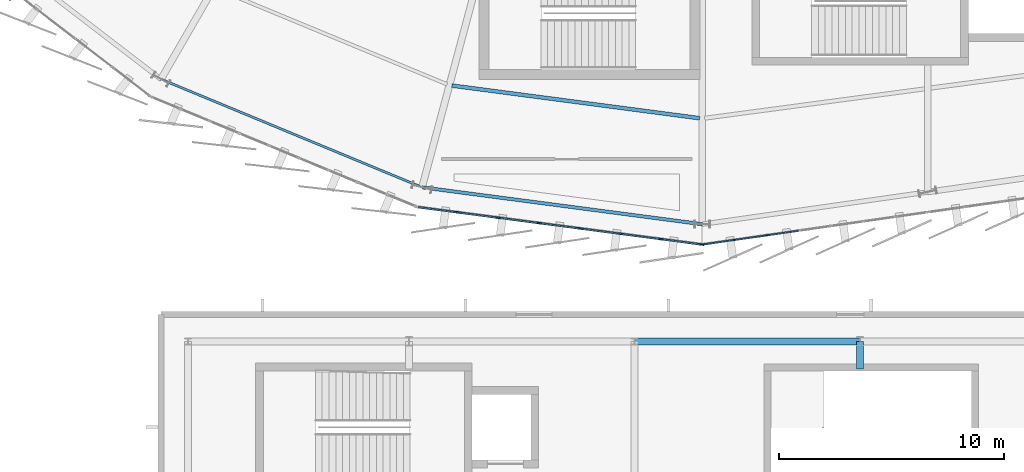
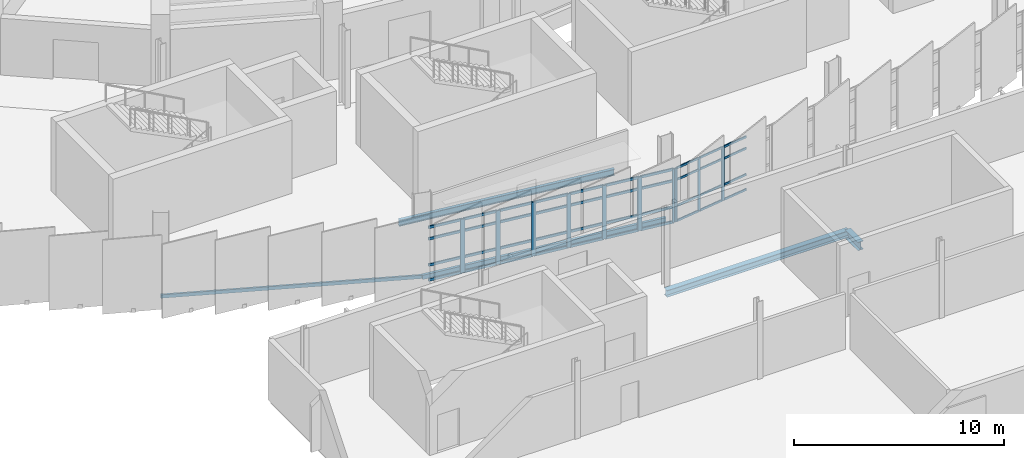
# One storey, part 32 of 120: 50 members, 5 beams, 2 elements without a shape of their own.
"""IFC4 building model written with IfcOpenShell, lengths in metres."""

from ifc_helpers import new_model, si_unit, direction, frame, origin, origin_2d, place, context, subcontext, project, spatial, rectangle, hollow_rectangle, i_section, extrude, material, layer, layer_set, material_profile, profile_set, type_object, element, aggregate, save


model = new_model("IFC4")

# Units and contexts
model_context = context("Model", 3, precision=1e-05, world=origin(), true_north=direction((0.0, 1.0)))
body_context = subcontext(model_context, "Body", "Model", "MODEL_VIEW")
ifc_project = project(units=[si_unit("LENGTHUNIT", "METRE"), si_unit("AREAUNIT", "SQUARE_METRE"), si_unit("VOLUMEUNIT", "CUBIC_METRE"), si_unit("PLANEANGLEUNIT", "RADIAN"), si_unit("MASSUNIT", "GRAM", prefix="KILO")], contexts=[model_context])

# Site, building, storey
site_placement = place(None, origin())
site = spatial("IfcSite", under=ifc_project, at=site_placement, CompositionType="ELEMENT")
building_placement = place(site_placement, origin())
building = spatial("IfcBuilding", under=site, at=building_placement, Name="Sohan Crest Arena", CompositionType="ELEMENT")
storey_placement = place(building_placement, frame((0.0, 0.0, 13.5)))
storey = spatial("IfcBuildingStorey", under=building, at=storey_placement, Name="L03", CompositionType="ELEMENT", Elevation=13.5)

# Curtain wall, members
ifc_material_1 = material(Name="Thermally broken anodised aluminium", Category="aluminium")
ifc_layer_1 = layer(ifc_material_1, 0.179931640625, Name="Thermally broken anodised aluminium")
ifc_layer_set_1 = layer_set([ifc_layer_1], Name="Thermally broken anodised aluminium")
curtain_wall_type_1 = type_object("IfcCurtainWallType", Name="ARC-CW01", PredefinedType="NOTDEFINED", material=ifc_layer_set_1)
curtain_wall_1_placement = place(storey_placement, origin())
curtain_wall_1 = element("IfcCurtainWall", 1, at=curtain_wall_1_placement, inside=storey, type_object=curtain_wall_type_1, Name="Unitised curtain wall CW-090", PredefinedType="NOTDEFINED")
ifc_material_profile_1 = material_profile(ifc_material_1, rectangle(XDim=0.06005859375, YDim=0.159912109375, at=origin_2d()), Name="ALU-MULL 60x160")
ifc_profile_set_1 = profile_set([ifc_material_profile_1], Name="Thermally broken anodised aluminium")
member_type_1 = type_object("IfcMemberType", Name="ARC-CW-ML01", PredefinedType="MULLION", material=ifc_profile_set_1)
member_1_placement = place(storey_placement, frame((98.02978515625, 29.104248046875, 0.0), z_axis=(0.0, 0.0, 1.0), x_axis=(-0.141462933734, 0.989943553128, 0.0)))
member_1 = element("IfcMember", 2, at=member_1_placement, type_object=member_type_1, Name="CW-090 mullion 1", PredefinedType="MULLION", context=body_context, shape_type="SweptSolid", body=[
    extrude(rectangle(XDim=0.06005859375, YDim=0.159912109375, at=origin_2d()), origin(), (0.0, 0.0, 1.0), 3.1201171875),
])
member_2_placement = place(storey_placement, frame((99.428466796875, 29.30419921875, 0.0), z_axis=(0.0, 0.0, 1.0), x_axis=(-0.141462933734, 0.989943553128, 0.0)))
member_2 = element("IfcMember", 3, at=member_2_placement, type_object=member_type_1, Name="CW-090 mullion 2", PredefinedType="MULLION", context=body_context, shape_type="SweptSolid", body=[
    extrude(rectangle(XDim=0.06005859375, YDim=0.159912109375, at=origin_2d()), origin(), (0.0, 0.0, 1.0), 3.1201171875),
])
member_3_placement = place(storey_placement, frame((100.857177734375, 29.50830078125, 0.0), z_axis=(0.0, 0.0, 1.0), x_axis=(-0.141462933734, 0.989943553128, 0.0)))
member_3 = element("IfcMember", 4, at=member_3_placement, type_object=member_type_1, Name="CW-090 mullion 3", PredefinedType="MULLION", context=body_context, shape_type="SweptSolid", body=[
    extrude(rectangle(XDim=0.06005859375, YDim=0.159912109375, at=origin_2d()), origin(), (0.0, 0.0, 1.0), 3.1201171875),
])

ifc_layer_2 = layer(ifc_material_1, 0.2099609375, Name="Thermally broken anodised aluminium")
ifc_layer_set_2 = layer_set([ifc_layer_2], Name="Thermally broken anodised aluminium")
curtain_wall_type_2 = type_object("IfcCurtainWallType", Name="ARC-CW06", PredefinedType="NOTDEFINED", material=ifc_layer_set_2)
curtain_wall_2_placement = place(storey_placement, origin())
curtain_wall_2 = element("IfcCurtainWall", 5, at=curtain_wall_2_placement, inside=storey, type_object=curtain_wall_type_2, Name="Unitised curtain wall CW-089", PredefinedType="NOTDEFINED")
ifc_material_profile_2 = material_profile(ifc_material_1, rectangle(XDim=0.074951171875, YDim=0.219970703125, at=origin_2d()), Name="ALU-MULL 75x220")
ifc_profile_set_2 = profile_set([ifc_material_profile_2], Name="Thermally broken anodised aluminium")
member_type_2 = type_object("IfcMemberType", Name="ARC-CW-ML04", PredefinedType="MULLION", material=ifc_profile_set_2)
member_4_placement = place(storey_placement, frame((87.152099609375, 30.528076171875, 0.0), z_axis=(0.0, 0.0, 1.0), x_axis=(0.130511252817, 0.991446828069, 0.0)))
member_4 = element("IfcMember", 6, at=member_4_placement, type_object=member_type_2, Name="CW-089 mullion 2", PredefinedType="MULLION", context=body_context, shape_type="SweptSolid", body=[
    extrude(rectangle(XDim=0.074951171875, YDim=0.219970703125, at=origin_2d()), origin(), (0.0, 0.0, 1.0), 3.1201171875),
])
member_5_placement = place(storey_placement, frame((88.9599609375, 30.2900390625, 0.0), z_axis=(0.0, 0.0, 1.0), x_axis=(0.130511252817, 0.991446828069, 0.0)))
member_5 = element("IfcMember", 7, at=member_5_placement, type_object=member_type_2, Name="CW-089 mullion 3", PredefinedType="MULLION", context=body_context, shape_type="SweptSolid", body=[
    extrude(rectangle(XDim=0.074951171875, YDim=0.219970703125, at=origin_2d()), origin(), (0.0, 0.0, 1.0), 3.1201171875),
])
member_6_placement = place(storey_placement, frame((90.76806640625, 30.052001953125, 0.0), z_axis=(0.0, 0.0, 1.0), x_axis=(0.130511252817, 0.991446828069, 0.0)))
member_6 = element("IfcMember", 8, at=member_6_placement, type_object=member_type_2, Name="CW-089 mullion 4", PredefinedType="MULLION", context=body_context, shape_type="SweptSolid", body=[
    extrude(rectangle(XDim=0.074951171875, YDim=0.219970703125, at=origin_2d()), origin(), (0.0, 0.0, 1.0), 3.1201171875),
])
member_7_placement = place(storey_placement, frame((92.575927734375, 29.81396484375, 0.0), z_axis=(0.0, 0.0, 1.0), x_axis=(0.130511252817, 0.991446828069, 0.0)))
member_7 = element("IfcMember", 9, at=member_7_placement, type_object=member_type_2, Name="CW-089 mullion 5", PredefinedType="MULLION", context=body_context, shape_type="SweptSolid", body=[
    extrude(rectangle(XDim=0.074951171875, YDim=0.219970703125, at=origin_2d()), origin(), (0.0, 0.0, 1.0), 3.1201171875),
])
member_8_placement = place(storey_placement, frame((94.384033203125, 29.575927734375, 0.0), z_axis=(0.0, 0.0, 1.0), x_axis=(0.130511252817, 0.991446828069, 0.0)))
member_8 = element("IfcMember", 10, at=member_8_placement, type_object=member_type_2, Name="CW-089 mullion 6", PredefinedType="MULLION", context=body_context, shape_type="SweptSolid", body=[
    extrude(rectangle(XDim=0.074951171875, YDim=0.219970703125, at=origin_2d()), origin(), (0.0, 0.0, 1.0), 3.1201171875),
])
member_9_placement = place(storey_placement, frame((96.19189453125, 29.337890625, 0.0), z_axis=(0.0, 0.0, 1.0), x_axis=(0.130511252817, 0.991446828069, 0.0)))
member_9 = element("IfcMember", 11, at=member_9_placement, type_object=member_type_2, Name="CW-089 mullion 7", PredefinedType="MULLION", context=body_context, shape_type="SweptSolid", body=[
    extrude(rectangle(XDim=0.074951171875, YDim=0.219970703125, at=origin_2d()), origin(), (0.0, 0.0, 1.0), 3.1201171875),
])
member_10_placement = place(storey_placement, frame((97.962890625, 29.10498046875, 0.0), z_axis=(0.0, 0.0, 1.0), x_axis=(0.130511252817, 0.991446828069, 0.0)))
member_10 = element("IfcMember", 12, at=member_10_placement, type_object=member_type_2, Name="CW-089 mullion 8", PredefinedType="MULLION", context=body_context, shape_type="SweptSolid", body=[
    extrude(rectangle(XDim=0.074951171875, YDim=0.219970703125, at=origin_2d()), origin(), (0.0, 0.0, 1.0), 3.1201171875),
])

# Member
ifc_material_profile_3 = material_profile(ifc_material_1, rectangle(XDim=0.06005859375, YDim=0.1201171875, at=origin_2d()), Name="ALU-TRAN 60x120")
ifc_profile_set_3 = profile_set([ifc_material_profile_3], Name="Thermally broken anodised aluminium")
member_type_3 = type_object("IfcMemberType", Name="ARC-CW-TR01", PredefinedType="USERDEFINED", material=ifc_profile_set_3)
member_11_placement = place(storey_placement, frame((98.059326171875, 29.1083984375, 0.030029296875), z_axis=(0.989945885007, 0.141446614515, 0.0), x_axis=(-0.141446614515, 0.989945885007, 0.0)))
member_11 = element("IfcMember", 13, at=member_11_placement, type_object=member_type_3, Name="CW-090 transom 1.1", ObjectType="TRANSOM", PredefinedType="USERDEFINED", context=body_context, shape_type="SweptSolid", body=[
    extrude(rectangle(XDim=0.06005859375, YDim=0.1201171875, at=origin_2d()), origin(), (0.0, 0.0, 1.0), 1.353271484375),
])

member_12_placement = place(storey_placement, frame((98.059326171875, 29.1083984375, 0.89990234375), z_axis=(0.989945885007, 0.141446614515, 0.0), x_axis=(-0.141446614515, 0.989945885007, 0.0)))
member_12 = element("IfcMember", 14, at=member_12_placement, type_object=member_type_3, Name="CW-090 transom 1.2", ObjectType="TRANSOM", PredefinedType="USERDEFINED", context=body_context, shape_type="SweptSolid", body=[
    extrude(rectangle(XDim=0.06005859375, YDim=0.1201171875, at=origin_2d()), origin(), (0.0, 0.0, 1.0), 1.353271484375),
])

member_13_placement = place(storey_placement, frame((98.059326171875, 29.1083984375, 2.419921875), z_axis=(0.989945885007, 0.141446614515, 0.0), x_axis=(-0.141446614515, 0.989945885007, 0.0)))
member_13 = element("IfcMember", 15, at=member_13_placement, type_object=member_type_3, Name="CW-090 transom 1.3", ObjectType="TRANSOM", PredefinedType="USERDEFINED", context=body_context, shape_type="SweptSolid", body=[
    extrude(rectangle(XDim=0.06005859375, YDim=0.1201171875, at=origin_2d()), origin(), (0.0, 0.0, 1.0), 1.353271484375),
])

member_14_placement = place(storey_placement, frame((98.059326171875, 29.1083984375, 3.090087890625), z_axis=(0.989945885007, 0.141446614515, 0.0), x_axis=(-0.141446614515, 0.989945885007, 0.0)))
member_14 = element("IfcMember", 16, at=member_14_placement, type_object=member_type_3, Name="CW-090 transom 1.4", ObjectType="TRANSOM", PredefinedType="USERDEFINED", context=body_context, shape_type="SweptSolid", body=[
    extrude(rectangle(XDim=0.06005859375, YDim=0.1201171875, at=origin_2d()), origin(), (0.0, 0.0, 1.0), 1.353271484375),
])

member_15_placement = place(storey_placement, frame((99.458251953125, 29.308349609375, 0.030029296875), z_axis=(0.989928300068, 0.141569632071, 0.0), x_axis=(-0.141569632071, 0.989928300068, 0.0)))
member_15 = element("IfcMember", 17, at=member_15_placement, type_object=member_type_3, Name="CW-090 transom 2.1", ObjectType="TRANSOM", PredefinedType="USERDEFINED", context=body_context, shape_type="SweptSolid", body=[
    extrude(rectangle(XDim=0.06005859375, YDim=0.1201171875, at=origin_2d()), origin(), (0.0, 0.0, 1.0), 1.383056640625),
])

member_16_placement = place(storey_placement, frame((99.458251953125, 29.308349609375, 0.89990234375), z_axis=(0.989928300068, 0.141569632071, 0.0), x_axis=(-0.141569632071, 0.989928300068, 0.0)))
member_16 = element("IfcMember", 18, at=member_16_placement, type_object=member_type_3, Name="CW-090 transom 2.2", ObjectType="TRANSOM", PredefinedType="USERDEFINED", context=body_context, shape_type="SweptSolid", body=[
    extrude(rectangle(XDim=0.06005859375, YDim=0.1201171875, at=origin_2d()), origin(), (0.0, 0.0, 1.0), 1.383056640625),
])

member_17_placement = place(storey_placement, frame((99.458251953125, 29.308349609375, 2.419921875), z_axis=(0.989928300068, 0.141569632071, 0.0), x_axis=(-0.141569632071, 0.989928300068, 0.0)))
member_17 = element("IfcMember", 19, at=member_17_placement, type_object=member_type_3, Name="CW-090 transom 2.3", ObjectType="TRANSOM", PredefinedType="USERDEFINED", context=body_context, shape_type="SweptSolid", body=[
    extrude(rectangle(XDim=0.06005859375, YDim=0.1201171875, at=origin_2d()), origin(), (0.0, 0.0, 1.0), 1.383056640625),
])

member_18_placement = place(storey_placement, frame((99.458251953125, 29.308349609375, 3.090087890625), z_axis=(0.989928300068, 0.141569632071, 0.0), x_axis=(-0.141569632071, 0.989928300068, 0.0)))
member_18 = element("IfcMember", 20, at=member_18_placement, type_object=member_type_3, Name="CW-090 transom 2.4", ObjectType="TRANSOM", PredefinedType="USERDEFINED", context=body_context, shape_type="SweptSolid", body=[
    extrude(rectangle(XDim=0.06005859375, YDim=0.1201171875, at=origin_2d()), origin(), (0.0, 0.0, 1.0), 1.383056640625),
])

member_19_placement = place(storey_placement, frame((100.886962890625, 29.512451171875, 0.030029296875), z_axis=(0.989928300068, 0.141569632071, 0.0), x_axis=(-0.141569632071, 0.989928300068, 0.0)))
member_19 = element("IfcMember", 21, at=member_19_placement, type_object=member_type_3, Name="CW-090 transom 3.1", ObjectType="TRANSOM", PredefinedType="USERDEFINED", context=body_context, shape_type="SweptSolid", body=[
    extrude(rectangle(XDim=0.06005859375, YDim=0.1201171875, at=origin_2d()), origin(), (0.0, 0.0, 1.0), 1.383056640625),
])

member_20_placement = place(storey_placement, frame((100.886962890625, 29.512451171875, 0.89990234375), z_axis=(0.989928300068, 0.141569632071, 0.0), x_axis=(-0.141569632071, 0.989928300068, 0.0)))
member_20 = element("IfcMember", 22, at=member_20_placement, type_object=member_type_3, Name="CW-090 transom 3.2", ObjectType="TRANSOM", PredefinedType="USERDEFINED", context=body_context, shape_type="SweptSolid", body=[
    extrude(rectangle(XDim=0.06005859375, YDim=0.1201171875, at=origin_2d()), origin(), (0.0, 0.0, 1.0), 1.383056640625),
])

member_21_placement = place(storey_placement, frame((100.886962890625, 29.512451171875, 2.419921875), z_axis=(0.989928300068, 0.141569632071, 0.0), x_axis=(-0.141569632071, 0.989928300068, 0.0)))
member_21 = element("IfcMember", 23, at=member_21_placement, type_object=member_type_3, Name="CW-090 transom 3.3", ObjectType="TRANSOM", PredefinedType="USERDEFINED", context=body_context, shape_type="SweptSolid", body=[
    extrude(rectangle(XDim=0.06005859375, YDim=0.1201171875, at=origin_2d()), origin(), (0.0, 0.0, 1.0), 1.383056640625),
])

member_22_placement = place(storey_placement, frame((100.886962890625, 29.512451171875, 3.090087890625), z_axis=(0.989928300068, 0.141569632071, 0.0), x_axis=(-0.141569632071, 0.989928300068, 0.0)))
member_22 = element("IfcMember", 24, at=member_22_placement, type_object=member_type_3, Name="CW-090 transom 3.4", ObjectType="TRANSOM", PredefinedType="USERDEFINED", context=body_context, shape_type="SweptSolid", body=[
    extrude(rectangle(XDim=0.06005859375, YDim=0.1201171875, at=origin_2d()), origin(), (0.0, 0.0, 1.0), 1.383056640625),
])

aggregate(curtain_wall_1, [member_1, member_2, member_3, member_11, member_12, member_13, member_14, member_15, member_16, member_17, member_18, member_19, member_20, member_21, member_22])

ifc_material_profile_4 = material_profile(ifc_material_1, rectangle(XDim=0.070068359375, YDim=0.14990234375, at=origin_2d()), Name="ALU-TRAN 70x150")
ifc_profile_set_4 = profile_set([ifc_material_profile_4], Name="Thermally broken anodised aluminium")
member_type_4 = type_object("IfcMemberType", Name="ARC-CW-TR03", PredefinedType="USERDEFINED", material=ifc_profile_set_4)
member_23_placement = place(storey_placement, frame((85.41845703125, 30.756103515625, 0.034912109375), z_axis=(0.991458180655, -0.130424982314, 0.0), x_axis=(0.130424982314, 0.991458180655, 0.0)))
member_23 = element("IfcMember", 25, at=member_23_placement, type_object=member_type_4, Name="CW-089 transom 1.1", ObjectType="TRANSOM", PredefinedType="USERDEFINED", context=body_context, shape_type="SweptSolid", body=[
    extrude(rectangle(XDim=0.070068359375, YDim=0.14990234375, at=origin_2d()), origin(), (0.0, 0.0, 1.0), 1.7109375),
])

member_24_placement = place(storey_placement, frame((85.41845703125, 30.756103515625, 0.89990234375), z_axis=(0.991458180655, -0.130424982314, 0.0), x_axis=(0.130424982314, 0.991458180655, 0.0)))
member_24 = element("IfcMember", 26, at=member_24_placement, type_object=member_type_4, Name="CW-089 transom 1.2", ObjectType="TRANSOM", PredefinedType="USERDEFINED", context=body_context, shape_type="SweptSolid", body=[
    extrude(rectangle(XDim=0.070068359375, YDim=0.14990234375, at=origin_2d()), origin(), (0.0, 0.0, 1.0), 1.7109375),
])

member_25_placement = place(storey_placement, frame((85.41845703125, 30.756103515625, 2.419921875), z_axis=(0.991458180655, -0.130424982314, 0.0), x_axis=(0.130424982314, 0.991458180655, 0.0)))
member_25 = element("IfcMember", 27, at=member_25_placement, type_object=member_type_4, Name="CW-089 transom 1.3", ObjectType="TRANSOM", PredefinedType="USERDEFINED", context=body_context, shape_type="SweptSolid", body=[
    extrude(rectangle(XDim=0.070068359375, YDim=0.14990234375, at=origin_2d()), origin(), (0.0, 0.0, 1.0), 1.7109375),
])

member_26_placement = place(storey_placement, frame((85.41845703125, 30.756103515625, 3.0849609375), z_axis=(0.991458180655, -0.130424982314, 0.0), x_axis=(0.130424982314, 0.991458180655, 0.0)))
member_26 = element("IfcMember", 28, at=member_26_placement, type_object=member_type_4, Name="CW-089 transom 1.4", ObjectType="TRANSOM", PredefinedType="USERDEFINED", context=body_context, shape_type="SweptSolid", body=[
    extrude(rectangle(XDim=0.070068359375, YDim=0.14990234375, at=origin_2d()), origin(), (0.0, 0.0, 1.0), 1.7109375),
])

member_27_placement = place(storey_placement, frame((87.189208984375, 30.523193359375, 0.034912109375), z_axis=(0.991442410891, -0.130544804138, 0.0), x_axis=(0.130544804138, 0.991442410891, 0.0)))
member_27 = element("IfcMember", 29, at=member_27_placement, type_object=member_type_4, Name="CW-089 transom 2.1", ObjectType="TRANSOM", PredefinedType="USERDEFINED", context=body_context, shape_type="SweptSolid", body=[
    extrude(rectangle(XDim=0.070068359375, YDim=0.14990234375, at=origin_2d()), origin(), (0.0, 0.0, 1.0), 1.74853515625),
])

member_28_placement = place(storey_placement, frame((87.189208984375, 30.523193359375, 0.89990234375), z_axis=(0.991442410891, -0.130544804138, 0.0), x_axis=(0.130544804138, 0.991442410891, 0.0)))
member_28 = element("IfcMember", 30, at=member_28_placement, type_object=member_type_4, Name="CW-089 transom 2.2", ObjectType="TRANSOM", PredefinedType="USERDEFINED", context=body_context, shape_type="SweptSolid", body=[
    extrude(rectangle(XDim=0.070068359375, YDim=0.14990234375, at=origin_2d()), origin(), (0.0, 0.0, 1.0), 1.74853515625),
])

member_29_placement = place(storey_placement, frame((87.189208984375, 30.523193359375, 2.419921875), z_axis=(0.991442410891, -0.130544804138, 0.0), x_axis=(0.130544804138, 0.991442410891, 0.0)))
member_29 = element("IfcMember", 31, at=member_29_placement, type_object=member_type_4, Name="CW-089 transom 2.3", ObjectType="TRANSOM", PredefinedType="USERDEFINED", context=body_context, shape_type="SweptSolid", body=[
    extrude(rectangle(XDim=0.070068359375, YDim=0.14990234375, at=origin_2d()), origin(), (0.0, 0.0, 1.0), 1.74853515625),
])

member_30_placement = place(storey_placement, frame((87.189208984375, 30.523193359375, 3.0849609375), z_axis=(0.991442410891, -0.130544804138, 0.0), x_axis=(0.130544804138, 0.991442410891, 0.0)))
member_30 = element("IfcMember", 32, at=member_30_placement, type_object=member_type_4, Name="CW-089 transom 2.4", ObjectType="TRANSOM", PredefinedType="USERDEFINED", context=body_context, shape_type="SweptSolid", body=[
    extrude(rectangle(XDim=0.070068359375, YDim=0.14990234375, at=origin_2d()), origin(), (0.0, 0.0, 1.0), 1.74853515625),
])

member_31_placement = place(storey_placement, frame((88.9970703125, 30.28515625, 0.034912109375), z_axis=(0.991442410891, -0.130544804138, 0.0), x_axis=(0.130544804138, 0.991442410891, 0.0)))
member_31 = element("IfcMember", 33, at=member_31_placement, type_object=member_type_4, Name="CW-089 transom 3.1", ObjectType="TRANSOM", PredefinedType="USERDEFINED", context=body_context, shape_type="SweptSolid", body=[
    extrude(rectangle(XDim=0.070068359375, YDim=0.14990234375, at=origin_2d()), origin(), (0.0, 0.0, 1.0), 1.74853515625),
])

member_32_placement = place(storey_placement, frame((88.9970703125, 30.28515625, 0.89990234375), z_axis=(0.991442410891, -0.130544804138, 0.0), x_axis=(0.130544804138, 0.991442410891, 0.0)))
member_32 = element("IfcMember", 34, at=member_32_placement, type_object=member_type_4, Name="CW-089 transom 3.2", ObjectType="TRANSOM", PredefinedType="USERDEFINED", context=body_context, shape_type="SweptSolid", body=[
    extrude(rectangle(XDim=0.070068359375, YDim=0.14990234375, at=origin_2d()), origin(), (0.0, 0.0, 1.0), 1.74853515625),
])

member_33_placement = place(storey_placement, frame((88.9970703125, 30.28515625, 2.419921875), z_axis=(0.991442410891, -0.130544804138, 0.0), x_axis=(0.130544804138, 0.991442410891, 0.0)))
member_33 = element("IfcMember", 35, at=member_33_placement, type_object=member_type_4, Name="CW-089 transom 3.3", ObjectType="TRANSOM", PredefinedType="USERDEFINED", context=body_context, shape_type="SweptSolid", body=[
    extrude(rectangle(XDim=0.070068359375, YDim=0.14990234375, at=origin_2d()), origin(), (0.0, 0.0, 1.0), 1.74853515625),
])

member_34_placement = place(storey_placement, frame((88.9970703125, 30.28515625, 3.0849609375), z_axis=(0.991442410891, -0.130544804138, 0.0), x_axis=(0.130544804138, 0.991442410891, 0.0)))
member_34 = element("IfcMember", 36, at=member_34_placement, type_object=member_type_4, Name="CW-089 transom 3.4", ObjectType="TRANSOM", PredefinedType="USERDEFINED", context=body_context, shape_type="SweptSolid", body=[
    extrude(rectangle(XDim=0.070068359375, YDim=0.14990234375, at=origin_2d()), origin(), (0.0, 0.0, 1.0), 1.74853515625),
])

member_35_placement = place(storey_placement, frame((90.80517578125, 30.047119140625, 0.034912109375), z_axis=(0.991442410891, -0.130544804138, 0.0), x_axis=(0.130544804138, 0.991442410891, 0.0)))
member_35 = element("IfcMember", 37, at=member_35_placement, type_object=member_type_4, Name="CW-089 transom 4.1", ObjectType="TRANSOM", PredefinedType="USERDEFINED", context=body_context, shape_type="SweptSolid", body=[
    extrude(rectangle(XDim=0.070068359375, YDim=0.14990234375, at=origin_2d()), origin(), (0.0, 0.0, 1.0), 1.74853515625),
])

member_36_placement = place(storey_placement, frame((90.80517578125, 30.047119140625, 0.89990234375), z_axis=(0.991442410891, -0.130544804138, 0.0), x_axis=(0.130544804138, 0.991442410891, 0.0)))
member_36 = element("IfcMember", 38, at=member_36_placement, type_object=member_type_4, Name="CW-089 transom 4.2", ObjectType="TRANSOM", PredefinedType="USERDEFINED", context=body_context, shape_type="SweptSolid", body=[
    extrude(rectangle(XDim=0.070068359375, YDim=0.14990234375, at=origin_2d()), origin(), (0.0, 0.0, 1.0), 1.74853515625),
])

member_37_placement = place(storey_placement, frame((90.80517578125, 30.047119140625, 2.419921875), z_axis=(0.991442410891, -0.130544804138, 0.0), x_axis=(0.130544804138, 0.991442410891, 0.0)))
member_37 = element("IfcMember", 39, at=member_37_placement, type_object=member_type_4, Name="CW-089 transom 4.3", ObjectType="TRANSOM", PredefinedType="USERDEFINED", context=body_context, shape_type="SweptSolid", body=[
    extrude(rectangle(XDim=0.070068359375, YDim=0.14990234375, at=origin_2d()), origin(), (0.0, 0.0, 1.0), 1.74853515625),
])

member_38_placement = place(storey_placement, frame((90.80517578125, 30.047119140625, 3.0849609375), z_axis=(0.991442410891, -0.130544804138, 0.0), x_axis=(0.130544804138, 0.991442410891, 0.0)))
member_38 = element("IfcMember", 40, at=member_38_placement, type_object=member_type_4, Name="CW-089 transom 4.4", ObjectType="TRANSOM", PredefinedType="USERDEFINED", context=body_context, shape_type="SweptSolid", body=[
    extrude(rectangle(XDim=0.070068359375, YDim=0.14990234375, at=origin_2d()), origin(), (0.0, 0.0, 1.0), 1.74853515625),
])

member_39_placement = place(storey_placement, frame((92.61328125, 29.80908203125, 0.034912109375), z_axis=(0.991442410891, -0.130544804138, 0.0), x_axis=(0.130544804138, 0.991442410891, 0.0)))
member_39 = element("IfcMember", 41, at=member_39_placement, type_object=member_type_4, Name="CW-089 transom 5.1", ObjectType="TRANSOM", PredefinedType="USERDEFINED", context=body_context, shape_type="SweptSolid", body=[
    extrude(rectangle(XDim=0.070068359375, YDim=0.14990234375, at=origin_2d()), origin(), (0.0, 0.0, 1.0), 1.74853515625),
])

member_40_placement = place(storey_placement, frame((92.61328125, 29.80908203125, 0.89990234375), z_axis=(0.991442410891, -0.130544804138, 0.0), x_axis=(0.130544804138, 0.991442410891, 0.0)))
member_40 = element("IfcMember", 42, at=member_40_placement, type_object=member_type_4, Name="CW-089 transom 5.2", ObjectType="TRANSOM", PredefinedType="USERDEFINED", context=body_context, shape_type="SweptSolid", body=[
    extrude(rectangle(XDim=0.070068359375, YDim=0.14990234375, at=origin_2d()), origin(), (0.0, 0.0, 1.0), 1.74853515625),
])

member_41_placement = place(storey_placement, frame((92.61328125, 29.80908203125, 2.419921875), z_axis=(0.991442410891, -0.130544804138, 0.0), x_axis=(0.130544804138, 0.991442410891, 0.0)))
member_41 = element("IfcMember", 43, at=member_41_placement, type_object=member_type_4, Name="CW-089 transom 5.3", ObjectType="TRANSOM", PredefinedType="USERDEFINED", context=body_context, shape_type="SweptSolid", body=[
    extrude(rectangle(XDim=0.070068359375, YDim=0.14990234375, at=origin_2d()), origin(), (0.0, 0.0, 1.0), 1.74853515625),
])

member_42_placement = place(storey_placement, frame((92.61328125, 29.80908203125, 3.0849609375), z_axis=(0.991442410891, -0.130544804138, 0.0), x_axis=(0.130544804138, 0.991442410891, 0.0)))
member_42 = element("IfcMember", 44, at=member_42_placement, type_object=member_type_4, Name="CW-089 transom 5.4", ObjectType="TRANSOM", PredefinedType="USERDEFINED", context=body_context, shape_type="SweptSolid", body=[
    extrude(rectangle(XDim=0.070068359375, YDim=0.14990234375, at=origin_2d()), origin(), (0.0, 0.0, 1.0), 1.74853515625),
])

member_43_placement = place(storey_placement, frame((94.421142578125, 29.571044921875, 0.034912109375), z_axis=(0.991442410891, -0.130544804138, 0.0), x_axis=(0.130544804138, 0.991442410891, 0.0)))
member_43 = element("IfcMember", 45, at=member_43_placement, type_object=member_type_4, Name="CW-089 transom 6.1", ObjectType="TRANSOM", PredefinedType="USERDEFINED", context=body_context, shape_type="SweptSolid", body=[
    extrude(rectangle(XDim=0.070068359375, YDim=0.14990234375, at=origin_2d()), origin(), (0.0, 0.0, 1.0), 1.74853515625),
])

member_44_placement = place(storey_placement, frame((94.421142578125, 29.571044921875, 0.89990234375), z_axis=(0.991442410891, -0.130544804138, 0.0), x_axis=(0.130544804138, 0.991442410891, 0.0)))
member_44 = element("IfcMember", 46, at=member_44_placement, type_object=member_type_4, Name="CW-089 transom 6.2", ObjectType="TRANSOM", PredefinedType="USERDEFINED", context=body_context, shape_type="SweptSolid", body=[
    extrude(rectangle(XDim=0.070068359375, YDim=0.14990234375, at=origin_2d()), origin(), (0.0, 0.0, 1.0), 1.74853515625),
])

member_45_placement = place(storey_placement, frame((94.421142578125, 29.571044921875, 2.419921875), z_axis=(0.991442410891, -0.130544804138, 0.0), x_axis=(0.130544804138, 0.991442410891, 0.0)))
member_45 = element("IfcMember", 47, at=member_45_placement, type_object=member_type_4, Name="CW-089 transom 6.3", ObjectType="TRANSOM", PredefinedType="USERDEFINED", context=body_context, shape_type="SweptSolid", body=[
    extrude(rectangle(XDim=0.070068359375, YDim=0.14990234375, at=origin_2d()), origin(), (0.0, 0.0, 1.0), 1.74853515625),
])

member_46_placement = place(storey_placement, frame((94.421142578125, 29.571044921875, 3.0849609375), z_axis=(0.991442410891, -0.130544804138, 0.0), x_axis=(0.130544804138, 0.991442410891, 0.0)))
member_46 = element("IfcMember", 48, at=member_46_placement, type_object=member_type_4, Name="CW-089 transom 6.4", ObjectType="TRANSOM", PredefinedType="USERDEFINED", context=body_context, shape_type="SweptSolid", body=[
    extrude(rectangle(XDim=0.070068359375, YDim=0.14990234375, at=origin_2d()), origin(), (0.0, 0.0, 1.0), 1.74853515625),
])

member_47_placement = place(storey_placement, frame((96.229248046875, 29.3330078125, 0.034912109375), z_axis=(0.991458180655, -0.130424982314, 0.0), x_axis=(0.130424982314, 0.991458180655, 0.0)))
member_47 = element("IfcMember", 49, at=member_47_placement, type_object=member_type_4, Name="CW-089 transom 7.1", ObjectType="TRANSOM", PredefinedType="USERDEFINED", context=body_context, shape_type="SweptSolid", body=[
    extrude(rectangle(XDim=0.070068359375, YDim=0.14990234375, at=origin_2d()), origin(), (0.0, 0.0, 1.0), 1.7109375),
])

member_48_placement = place(storey_placement, frame((96.229248046875, 29.3330078125, 0.89990234375), z_axis=(0.991458180655, -0.130424982314, 0.0), x_axis=(0.130424982314, 0.991458180655, 0.0)))
member_48 = element("IfcMember", 50, at=member_48_placement, type_object=member_type_4, Name="CW-089 transom 7.2", ObjectType="TRANSOM", PredefinedType="USERDEFINED", context=body_context, shape_type="SweptSolid", body=[
    extrude(rectangle(XDim=0.070068359375, YDim=0.14990234375, at=origin_2d()), origin(), (0.0, 0.0, 1.0), 1.7109375),
])

member_49_placement = place(storey_placement, frame((96.229248046875, 29.3330078125, 2.419921875), z_axis=(0.991458180655, -0.130424982314, 0.0), x_axis=(0.130424982314, 0.991458180655, 0.0)))
member_49 = element("IfcMember", 51, at=member_49_placement, type_object=member_type_4, Name="CW-089 transom 7.3", ObjectType="TRANSOM", PredefinedType="USERDEFINED", context=body_context, shape_type="SweptSolid", body=[
    extrude(rectangle(XDim=0.070068359375, YDim=0.14990234375, at=origin_2d()), origin(), (0.0, 0.0, 1.0), 1.7109375),
])

member_50_placement = place(storey_placement, frame((96.229248046875, 29.3330078125, 3.0849609375), z_axis=(0.991458180655, -0.130424982314, 0.0), x_axis=(0.130424982314, 0.991458180655, 0.0)))
member_50 = element("IfcMember", 52, at=member_50_placement, type_object=member_type_4, Name="CW-089 transom 7.4", ObjectType="TRANSOM", PredefinedType="USERDEFINED", context=body_context, shape_type="SweptSolid", body=[
    extrude(rectangle(XDim=0.070068359375, YDim=0.14990234375, at=origin_2d()), origin(), (0.0, 0.0, 1.0), 1.7109375),
])

aggregate(curtain_wall_2, [member_4, member_5, member_6, member_7, member_8, member_9, member_10, member_23, member_24, member_25, member_26, member_27, member_28, member_29, member_30, member_31, member_32, member_33, member_34, member_35, member_36, member_37, member_38, member_39, member_40, member_41, member_42, member_43, member_44, member_45, member_46, member_47, member_48, member_49, member_50])

# Beams
ifc_material_2 = material(Name="Steel S355", Category="steel")
ifc_material_profile_5 = material_profile(ifc_material_2, i_section(OverallWidth=0.169921875, OverallDepth=0.360107421875, WebThickness=0.008056640625, FlangeThickness=0.0126953125, at=origin_2d()), Name="IPE 360")
ifc_profile_set_5 = profile_set([ifc_material_profile_5], Name="Steel S355")
beam_type_1 = type_object("IfcBeamType", Name="STR-BM-B02", PredefinedType="JOIST", material=ifc_profile_set_5)
beam_1_placement = place(storey_placement, frame((86.89892578125, 36.14794921875, -0.429931640625), z_axis=(0.991434947697, -0.130601471988, 0.0), x_axis=(0.130601471988, 0.991434947697, 0.0)))
element("IfcBeam", 53, at=beam_1_placement, inside=storey, type_object=beam_type_1, Name="Structural beam J-L03-1446", PredefinedType="JOIST", context=body_context, shape_type="SweptSolid", body=[
    extrude(i_section(OverallWidth=0.169921875, OverallDepth=0.360107421875, WebThickness=0.008056640625, FlangeThickness=0.0126953125, at=origin_2d()), origin(), (0.0, 0.0, 1.0), 11.087158203125),
])
ifc_material_profile_6 = material_profile(ifc_material_2, i_section(OverallWidth=0.300048828125, OverallDepth=0.389892578125, WebThickness=0.010986328125, FlangeThickness=0.01904296875, at=origin_2d()), Name="HEA 400")
ifc_profile_set_6 = profile_set([ifc_material_profile_6], Name="Steel S355")
beam_type_2 = type_object("IfcBeamType", Name="STR-BM-B09", PredefinedType="BEAM", material=ifc_profile_set_6)
beam_2_placement = place(storey_placement, frame((95.0, 24.800048828125, -0.445068359375), z_axis=(1.0, 0.0, 0.0), x_axis=(0.0, 1.0, 0.0)))
element("IfcBeam", 54, at=beam_2_placement, inside=storey, type_object=beam_type_2, Name="Structural beam G-L03-2763", PredefinedType="BEAM", context=body_context, shape_type="SweptSolid", body=[
    extrude(i_section(OverallWidth=0.300048828125, OverallDepth=0.389892578125, WebThickness=0.010986328125, FlangeThickness=0.01904296875, at=origin_2d()), origin(), (0.0, 0.0, 1.0), 10.0),
])
ifc_material_profile_7 = material_profile(ifc_material_2, i_section(OverallWidth=0.300048828125, OverallDepth=0.489990234375, WebThickness=0.011962890625, FlangeThickness=0.02294921875, at=origin_2d()), Name="HEA 500")
ifc_profile_set_7 = profile_set([ifc_material_profile_7], Name="Steel S355")
beam_type_3 = type_object("IfcBeamType", Name="STR-BM-B10", PredefinedType="BEAM", material=ifc_profile_set_7)
beam_3_placement = place(storey_placement, frame((105.0, 23.580078125, -0.4951171875), z_axis=(0.0, 1.0, 0.0), x_axis=(-1.0, 0.0, 0.0)))
element("IfcBeam", 55, at=beam_3_placement, inside=storey, type_object=beam_type_3, Name="Structural beam G-L03-2708", PredefinedType="BEAM", context=body_context, shape_type="SweptSolid", body=[
    extrude(i_section(OverallWidth=0.300048828125, OverallDepth=0.489990234375, WebThickness=0.011962890625, FlangeThickness=0.02294921875, at=origin_2d()), origin(), (0.0, 0.0, 1.0), 1.219970703125),
])
ifc_material_profile_8 = material_profile(ifc_material_2, hollow_rectangle(XDim=0.10009765625, YDim=0.199951171875, WallThickness=0.008056640625, at=origin_2d()), Name="RHS 200x100x8")
ifc_profile_set_8 = profile_set([ifc_material_profile_8], Name="Steel S355")
beam_type_4 = type_object("IfcBeamType", Name="STR-BM-SP01", PredefinedType="SPANDREL", material=ifc_profile_set_8)
beam_4_placement = place(storey_placement, frame((74.0, 36.430908203125, -0.35009765625), z_axis=(0.923890504882, -0.382656941645, 0.0), x_axis=(0.382656941645, 0.923890504882, 0.0)))
element("IfcBeam", 56, at=beam_4_placement, inside=storey, type_object=beam_type_4, Name="Structural beam SP-L03-1441", PredefinedType="SPANDREL", context=body_context, shape_type="SweptSolid", body=[
    extrude(hollow_rectangle(XDim=0.10009765625, YDim=0.199951171875, WallThickness=0.008056640625, at=origin_2d()), origin(), (0.0, 0.0, 1.0), 12.530517578125),
])
ifc_material_profile_9 = material_profile(ifc_material_2, hollow_rectangle(XDim=0.14990234375, YDim=0.25, WallThickness=0.010009765625, at=origin_2d()), Name="RHS 250x150x10")
ifc_profile_set_9 = profile_set([ifc_material_profile_9], Name="Steel S355")
beam_type_5 = type_object("IfcBeamType", Name="STR-BM-SP02", PredefinedType="SPANDREL", material=ifc_profile_set_9)
beam_5_placement = place(storey_placement, frame((85.576904296875, 31.635986328125, -0.375), z_axis=(0.991440164207, -0.130561865783, 0.0), x_axis=(0.130561865783, 0.991440164207, 0.0)))
element("IfcBeam", 57, at=beam_5_placement, inside=storey, type_object=beam_type_5, Name="Structural beam SP-L03-1445", PredefinedType="SPANDREL", context=body_context, shape_type="SweptSolid", body=[
    extrude(hollow_rectangle(XDim=0.14990234375, YDim=0.25, WallThickness=0.010009765625, at=origin_2d()), origin(), (0.0, 0.0, 1.0), 12.5302734375),
])

save(model, "model.ifc")
